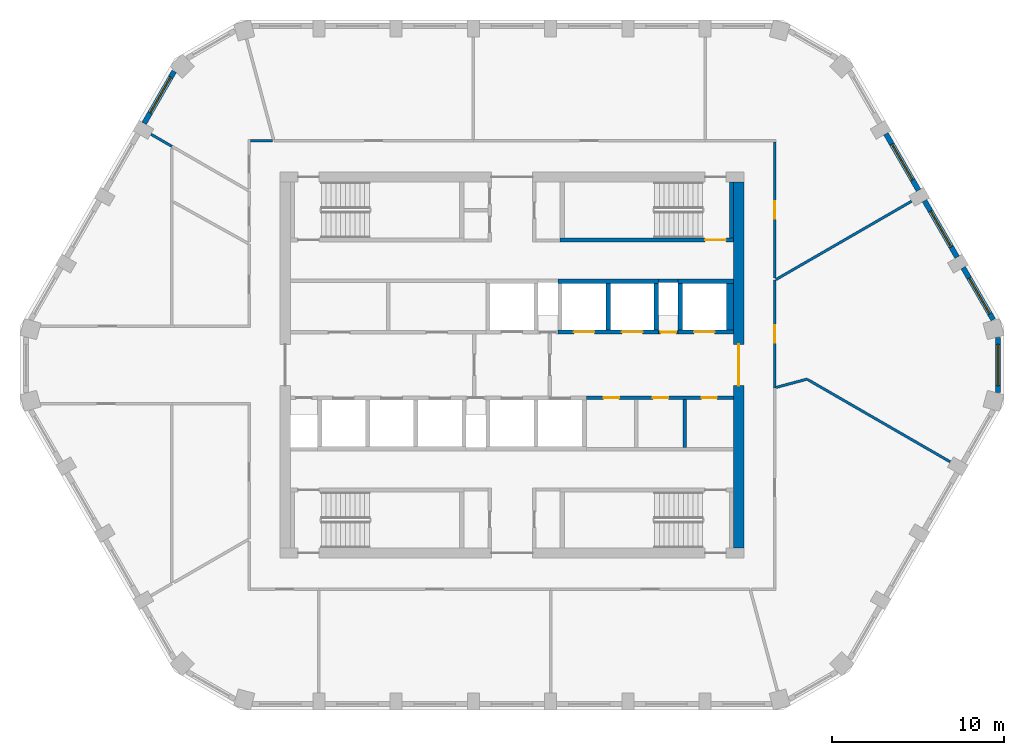
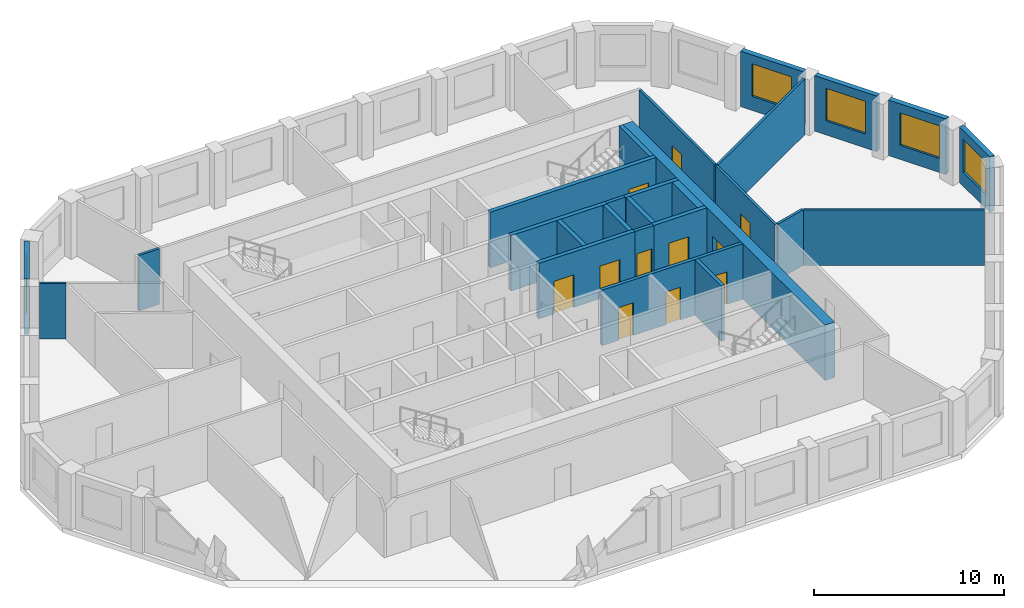
# One storey, part 5 of 7: 27 walls, 11 doors, 5 windows, 16 openings.
"""IFC4 building model written with IfcOpenShell, lengths in metres."""

import ifcopenshell
import ifcopenshell.guid

model = None  # the IFC model being written
_history = None  # IfcOwnerHistory: only IFC2X3 demands one
_inside = {}  # id of a spatial element -> (the spatial element, [elements in it])
_under = {}  # id of a project, library or spatial element -> (it, [spatial elements below it])
_declared = {}  # id of a project -> (the project, [libraries it declares])
_typed = {}  # id of a type object -> (the type object, [elements of that type])
_made_of = {}  # id of a material, layer set ... -> (it, [elements and type objects made of it])


def new_model(schema):
    """Start an empty IFC model of exactly this schema.

    Asked for "IFC4X3", IfcOpenShell would pick the latest addendum, in which some entities
    have other attributes; the version numbers below select the first issue.
    IFC2X3 requires an IfcOwnerHistory on every rooted entity: one is made here for all.
    """
    global model, _history
    if schema == "IFC4X3":
        model = ifcopenshell.file(schema_version=(4, 3, 0, 0))
    else:
        model = ifcopenshell.file(schema=schema)
    _inside.clear()
    _under.clear()
    _declared.clear()
    _typed.clear()
    _made_of.clear()
    _history = None
    if model.schema == "IFC2X3":
        org = make("IfcOrganization", Name="unknown")
        user = make(
            "IfcPersonAndOrganization",
            ThePerson=make("IfcPerson", FamilyName="unknown"),
            TheOrganization=org,
        )
        app = make(
            "IfcApplication",
            ApplicationDeveloper=org,
            Version="unknown",
            ApplicationFullName="unknown",
            ApplicationIdentifier="unknown",
        )
        _history = make(
            "IfcOwnerHistory",
            OwningUser=user,
            OwningApplication=app,
            ChangeAction="ADDED",
            CreationDate=0,
        )
    return model


def make(cls, **values):
    """One entity of the class cls with the attributes given. An attribute that is None is left unset."""
    return model.create_entity(
        cls, **{name: value for name, value in values.items() if value is not None}
    )


def rooted(cls, **values):
    """An entity with a GlobalId (a new one), such as an element, a storey or a relation."""
    return make(cls, GlobalId=ifcopenshell.guid.new(), OwnerHistory=_history, **values)


def si_unit(unit_type, name, prefix=None):
    """IfcSIUnit, for example si_unit("LENGTHUNIT", "METRE", prefix="MILLI")."""
    return make("IfcSIUnit", UnitType=unit_type, Prefix=prefix, Name=name)


def assignment(units):
    """IfcUnitAssignment: the units of a project."""
    return None if units is None else make("IfcUnitAssignment", Units=units)


def point(xyz):
    """IfcCartesianPoint."""
    return None if xyz is None else make("IfcCartesianPoint", Coordinates=xyz)


def direction(xyz):
    """IfcDirection."""
    return None if xyz is None else make("IfcDirection", DirectionRatios=xyz)


def frame(location, z_axis=None, x_axis=None):
    """IfcAxis2Placement3D, a coordinate frame: its origin and axes. An axis left out is left unset."""
    return make(
        "IfcAxis2Placement3D",
        Location=point(location),
        Axis=direction(z_axis),
        RefDirection=direction(x_axis),
    )


def frame_2d(location, x_axis=None):
    """IfcAxis2Placement2D, a coordinate frame in the plane: its origin and x axis."""
    return make(
        "IfcAxis2Placement2D", Location=point(location), RefDirection=direction(x_axis)
    )


def origin():
    """The frame at (0, 0, 0) with its axes left unset."""
    return frame((0.0, 0.0, 0.0))


def place(relative_to, where):
    """IfcLocalPlacement: puts the frame where relative to a parent placement (None: the world)."""
    return make(
        "IfcLocalPlacement", PlacementRelTo=relative_to, RelativePlacement=where
    )


def context(
    kind, dimensions, precision=None, world=None, true_north=None, identifier=None
):
    """IfcGeometricRepresentationContext, for example the 3D "Model" context."""
    return make(
        "IfcGeometricRepresentationContext",
        ContextIdentifier=identifier,
        ContextType=kind,
        CoordinateSpaceDimension=dimensions,
        Precision=precision,
        WorldCoordinateSystem=world,
        TrueNorth=true_north,
    )


def subcontext(parent, identifier, kind, view, scale=None):
    """IfcGeometricRepresentationSubContext, for example "Body" below "Model"."""
    return make(
        "IfcGeometricRepresentationSubContext",
        ContextIdentifier=identifier,
        ContextType=kind,
        ParentContext=parent,
        TargetScale=scale,
        TargetView=view,
    )


def project(units=None, contexts=None):
    """IfcProject with its units and contexts."""
    return rooted(
        "IfcProject",
        Name="project",
        RepresentationContexts=contexts,
        UnitsInContext=assignment(units),
    )


def spatial(cls, under=None, at=None, **own):
    """A site, building, storey or space (cls), placed at a placement, below another one or the project."""
    s = rooted(cls, ObjectPlacement=at, **own)
    if under is not None:
        _under.setdefault(under.id(), (under, []))[1].append(s)
    return s


def polyline(points):
    """IfcPolyline through the points."""
    return make("IfcPolyline", Points=[point(p) for p in points])


def profile(cls, at=None, kind="AREA", **sizes):
    """A parametric profile (cls). Its sizes go by their IFC names, for example OverallWidth=200.0."""
    return make(cls, ProfileType=kind, Position=at, **sizes)


def rectangle(**sizes):
    """IfcRectangleProfileDef."""
    return profile("IfcRectangleProfileDef", **sizes)


def outline(outer, holes=None, kind="AREA"):
    """IfcArbitraryClosedProfileDef: a profile drawn as a closed curve; with holes, ...WithVoids."""
    if holes is None:
        return make("IfcArbitraryClosedProfileDef", ProfileType=kind, OuterCurve=outer)
    return make(
        "IfcArbitraryProfileDefWithVoids",
        ProfileType=kind,
        OuterCurve=outer,
        InnerCurves=holes,
    )


def extrude(swept, where, along, depth):
    """IfcExtrudedAreaSolid: the profile swept, set in the frame where, extruded along a direction by depth."""
    return make(
        "IfcExtrudedAreaSolid",
        SweptArea=swept,
        Position=where,
        ExtrudedDirection=direction(along),
        Depth=depth,
    )


def shape(context_of_items, identifier, shape_type, items):
    """IfcShapeRepresentation: the items that make up one representation, for example the "Body"."""
    return make(
        "IfcShapeRepresentation",
        ContextOfItems=context_of_items,
        RepresentationIdentifier=identifier,
        RepresentationType=shape_type,
        Items=items,
    )


def material(Name=None, Category=None):
    """IfcMaterial."""
    return make("IfcMaterial", Name=Name, Category=Category)


def layer(
    of_material, thickness, ventilated=None, Name=None, Category=None, Priority=None
):
    """IfcMaterialLayer: one layer of a wall or slab, of a material (None: an air gap)."""
    return make(
        "IfcMaterialLayer",
        Material=of_material,
        LayerThickness=thickness,
        IsVentilated=ventilated,
        Name=Name,
        Category=Category,
        Priority=Priority,
    )


def layer_set(layers, Name=None):
    """IfcMaterialLayerSet."""
    return make("IfcMaterialLayerSet", MaterialLayers=layers, LayerSetName=Name)


def made_of(thing, what):
    """Note that an element or type object is made of a material, layer set ...; save() writes the relation."""
    if what is not None:
        _made_of.setdefault(what.id(), (what, []))[1].append(thing)
    return thing


def type_object(cls, material=None, **own):
    """A type object (cls), such as IfcWallType, which elements share."""
    return made_of(rooted(cls, **own), material)


def element(
    cls,
    number,
    at=None,
    inside=None,
    cuts=None,
    type_object=None,
    material=None,
    context=None,
    identifier="Body",
    shape_type=None,
    held_by="IfcProductDefinitionShape",
    body=None,
    shapes=None,
    **own,
):
    """One element of the class cls, such as IfcWall. Its Tag is "e" and its number.

    at: its placement. inside: the storey or other place that contains it. cuts: it is an
    opening in that element (IfcRelVoidsElement). A single representation is given by context,
    identifier, shape_type and body (its items); several are given by shapes. held_by: the class
    of the entity that holds the representations. save() writes the other relations.
    """
    e = rooted(cls, Tag="e%d" % number, ObjectPlacement=at, **own)
    if body is not None:
        shapes = [shape(context, identifier, shape_type, body)]
    if shapes is not None:
        e.Representation = make(held_by, Representations=shapes)
    if inside is not None:
        _inside.setdefault(inside.id(), (inside, []))[1].append(e)
    if cuts is not None:
        rooted(
            "IfcRelVoidsElement", RelatingBuildingElement=cuts, RelatedOpeningElement=e
        )
    if type_object is not None:
        _typed.setdefault(type_object.id(), (type_object, []))[1].append(e)
    return made_of(e, material)


def fill(opening, filler):
    """IfcRelFillsElement: the door or window that sits in an opening."""
    return rooted(
        "IfcRelFillsElement",
        RelatingOpeningElement=opening,
        RelatedBuildingElement=filler,
    )


def aggregate(whole, parts):
    """IfcRelAggregates: a whole, such as a stair, and the parts it consists of."""
    return rooted("IfcRelAggregates", RelatingObject=whole, RelatedObjects=parts)


def save(model, path):
    """Write the relations noted so far, then the file.

    IfcRelAggregates (storeys below a building ...), IfcRelContainedInSpatialStructure (elements
    in a storey), IfcRelDefinesByType, IfcRelAssociatesMaterial and IfcRelDeclares: one each for
    every whole, place, type object, material and project.
    """
    for whole, parts in _under.values():
        aggregate(whole, parts)
    for where, things in _inside.values():
        rooted(
            "IfcRelContainedInSpatialStructure",
            RelatedElements=things,
            RelatingStructure=where,
        )
    for kind, things in _typed.values():
        rooted("IfcRelDefinesByType", RelatedObjects=things, RelatingType=kind)
    for what, things in _made_of.values():
        rooted("IfcRelAssociatesMaterial", RelatedObjects=things, RelatingMaterial=what)
    for by, libraries in _declared.values():
        rooted("IfcRelDeclares", RelatingContext=by, RelatedDefinitions=libraries)
    model.write(path)


model = new_model("IFC4")

# Units and contexts
model_context = context("Model", 3, precision=1e-05, world=origin(), true_north=direction((0.0, 1.0)))
body_context = subcontext(model_context, "Body", "Model", "MODEL_VIEW")
ifc_project = project(units=[si_unit("LENGTHUNIT", "METRE"), si_unit("AREAUNIT", "SQUARE_METRE"), si_unit("VOLUMEUNIT", "CUBIC_METRE"), si_unit("PLANEANGLEUNIT", "RADIAN"), si_unit("MASSUNIT", "GRAM", prefix="KILO")], contexts=[model_context])

# Site, building, storey
site_placement = place(None, origin())
site = spatial("IfcSite", under=ifc_project, at=site_placement, CompositionType="ELEMENT")
building_placement = place(site_placement, origin())
building = spatial("IfcBuilding", under=site, at=building_placement, Name="Dhurran Vertical Campus", CompositionType="ELEMENT")
storey_placement = place(building_placement, frame((0.0, 0.0, 262.5)))
storey = spatial("IfcBuildingStorey", under=building, at=storey_placement, Name="L65", CompositionType="ELEMENT", Elevation=262.5)

# Wall, opening, window
ifc_material_1 = material(Name="Precast concrete C50/60", Category="concrete")
ifc_layer_1 = layer(ifc_material_1, 0.300048828125)
ifc_layer_set_1 = layer_set([ifc_layer_1], Name="Precast concrete C50/60")
wall_type_1 = type_object("IfcWallType", Name="Precast spandrel wall 300", PredefinedType="SOLIDWALL", material=ifc_layer_set_1)
wall_1_placement = place(storey_placement, frame((28.297119140625, -1.59814453125, 0.0), z_axis=(0.0, 0.0, 1.0), x_axis=(0.0, 1.0, 0.0)))
wall_1 = element("IfcWall", 1, at=wall_1_placement, inside=storey, type_object=wall_type_1, Name="EW1 L65.12", PredefinedType="SOLIDWALL", context=body_context, shape_type="SweptSolid", body=[
    extrude(rectangle(XDim=3.1962890625, YDim=0.300048828125, at=frame_2d((1.59814453125, 0.0))), origin(), (0.0, 0.0, 1.0), 3.574951171875),
])
opening_1_placement = place(wall_1_placement, frame((0.398193359375, 0.0, 0.89990234375)))
opening_1 = element("IfcOpeningElement", 2, at=opening_1_placement, cuts=wall_1, Name="Opening WT1", PredefinedType="OPENING", context=body_context, shape_type="SweptSolid", body=[
    extrude(rectangle(XDim=2.39990234375, YDim=2.10009765625, at=frame_2d((1.199951171875, 1.050048828125))), frame((0.0, 0.159912109375, 0.0), z_axis=(0.0, -1.0, 0.0), x_axis=(1.0, 0.0, 0.0)), (0.0, 0.0, 1.0), 0.320068359375),
])
ifc_material_2 = material(Name="Aluminium frame with solar-control glass", Category="aluminium")
window_type = type_object("IfcWindowType", Name="Punched window 2400 x 2100", PartitioningType="SINGLE_PANEL", PredefinedType="WINDOW", material=ifc_material_2)
window_1_placement = place(opening_1_placement, origin())
window_1 = element("IfcWindow", 3, at=window_1_placement, inside=storey, type_object=window_type, Name="WT1 L65.12", OverallHeight=2.10009765625, OverallWidth=2.39990234375, PartitioningType="SINGLE_PANEL", PredefinedType="WINDOW", context=body_context, shape_type="SweptSolid", body=[
    extrude(rectangle(XDim=2.39990234375, YDim=2.10009765625, at=frame_2d((1.199951171875, 1.050048828125))), frame((0.0, 0.030029296875, 0.0), z_axis=(0.0, -1.0, 0.0), x_axis=(1.0, 0.0, 0.0)), (0.0, 0.0, 1.0), 0.06005859375),
])
fill(opening_1, window_1)

wall_2_placement = place(storey_placement, frame((28.01806640625, 2.6396484375, 0.0), z_axis=(0.0, 0.0, 1.0), x_axis=(-0.499990325971, 0.866030989016, 0.0)))
wall_2 = element("IfcWall", 4, at=wall_2_placement, inside=storey, type_object=wall_type_1, Name="EW1 L65.13", PredefinedType="SOLIDWALL", context=body_context, shape_type="SweptSolid", body=[
    extrude(rectangle(XDim=3.49755859375, YDim=0.300048828125, at=frame_2d((1.748779296875, 0.0))), origin(), (0.0, 0.0, 1.0), 3.574951171875),
])
opening_2_placement = place(wall_2_placement, frame((0.398193359375, 0.0, 0.89990234375)))
opening_2 = element("IfcOpeningElement", 5, at=opening_2_placement, cuts=wall_2, Name="Opening WT1", PredefinedType="OPENING", context=body_context, shape_type="SweptSolid", body=[
    extrude(rectangle(XDim=2.39990234375, YDim=2.10009765625, at=frame_2d((1.199951171875, 1.050048828125))), frame((0.0, 0.159912109375, 0.0), z_axis=(0.0, -1.0, 0.0), x_axis=(1.0, 0.0, 0.0)), (0.0, 0.0, 1.0), 0.320068359375),
])
window_2_placement = place(opening_2_placement, origin())
window_2 = element("IfcWindow", 6, at=window_2_placement, inside=storey, type_object=window_type, Name="WT1 L65.13", OverallHeight=2.10009765625, OverallWidth=2.39990234375, PartitioningType="SINGLE_PANEL", PredefinedType="WINDOW", context=body_context, shape_type="SweptSolid", body=[
    extrude(rectangle(XDim=2.39990234375, YDim=2.10009765625, at=frame_2d((1.199951171875, 1.050048828125))), frame((0.0, 0.030029296875, 0.0), z_axis=(0.0, -1.0, 0.0), x_axis=(1.0, 0.0, 0.0)), (0.0, 0.0, 1.0), 0.06005859375),
])
fill(opening_2, window_2)

wall_3_placement = place(storey_placement, frame((25.918701171875, 6.275634765625, 0.0), z_axis=(0.0, 0.0, 1.0), x_axis=(-0.499982058975, 0.866035761792, 0.0)))
wall_3 = element("IfcWall", 7, at=wall_3_placement, inside=storey, type_object=wall_type_1, Name="EW1 L65.14", PredefinedType="SOLIDWALL", context=body_context, shape_type="SweptSolid", body=[
    extrude(rectangle(XDim=3.799072265625, YDim=0.300048828125, at=frame_2d((1.8994140625, 0.0))), origin(), (0.0, 0.0, 1.0), 3.574951171875),
])
opening_3_placement = place(wall_3_placement, frame((0.699462890625, 0.0, 0.89990234375)))
opening_3 = element("IfcOpeningElement", 8, at=opening_3_placement, cuts=wall_3, Name="Opening WT1", PredefinedType="OPENING", context=body_context, shape_type="SweptSolid", body=[
    extrude(rectangle(XDim=2.39990234375, YDim=2.10009765625, at=frame_2d((1.199951171875, 1.050048828125))), frame((0.0, 0.159912109375, 0.0), z_axis=(0.0, -1.0, 0.0), x_axis=(1.0, 0.0, 0.0)), (0.0, 0.0, 1.0), 0.320068359375),
])
window_3_placement = place(opening_3_placement, origin())
window_3 = element("IfcWindow", 9, at=window_3_placement, inside=storey, type_object=window_type, Name="WT1 L65.14", OverallHeight=2.10009765625, OverallWidth=2.39990234375, PartitioningType="SINGLE_PANEL", PredefinedType="WINDOW", context=body_context, shape_type="SweptSolid", body=[
    extrude(rectangle(XDim=2.39990234375, YDim=2.10009765625, at=frame_2d((1.199951171875, 1.050048828125))), frame((0.0, 0.030029296875, 0.0), z_axis=(0.0, -1.0, 0.0), x_axis=(1.0, 0.0, 0.0)), (0.0, 0.0, 1.0), 0.06005859375),
])
fill(opening_3, window_3)

wall_4_placement = place(storey_placement, frame((23.668701171875, 10.1728515625, 0.0), z_axis=(0.0, 0.0, 1.0), x_axis=(-0.499982058975, 0.866035761792, 0.0)))
wall_4 = element("IfcWall", 10, at=wall_4_placement, inside=storey, type_object=wall_type_1, Name="EW1 L65.15", PredefinedType="SOLIDWALL", context=body_context, shape_type="SweptSolid", body=[
    extrude(rectangle(XDim=3.799072265625, YDim=0.300048828125, at=frame_2d((1.8994140625, 0.0))), origin(), (0.0, 0.0, 1.0), 3.574951171875),
])
opening_4_placement = place(wall_4_placement, frame((0.699462890625, 0.0, 0.89990234375)))
opening_4 = element("IfcOpeningElement", 11, at=opening_4_placement, cuts=wall_4, Name="Opening WT1", PredefinedType="OPENING", context=body_context, shape_type="SweptSolid", body=[
    extrude(rectangle(XDim=2.39990234375, YDim=2.10009765625, at=frame_2d((1.199951171875, 1.050048828125))), frame((0.0, 0.159912109375, 0.0), z_axis=(0.0, -1.0, 0.0), x_axis=(1.0, 0.0, 0.0)), (0.0, 0.0, 1.0), 0.320068359375),
])
window_4_placement = place(opening_4_placement, origin())
window_4 = element("IfcWindow", 12, at=window_4_placement, inside=storey, type_object=window_type, Name="WT1 L65.15", OverallHeight=2.10009765625, OverallWidth=2.39990234375, PartitioningType="SINGLE_PANEL", PredefinedType="WINDOW", context=body_context, shape_type="SweptSolid", body=[
    extrude(rectangle(XDim=2.39990234375, YDim=2.10009765625, at=frame_2d((1.199951171875, 1.050048828125))), frame((0.0, 0.030029296875, 0.0), z_axis=(0.0, -1.0, 0.0), x_axis=(1.0, 0.0, 0.0)), (0.0, 0.0, 1.0), 0.06005859375),
])
fill(opening_4, window_4)

wall_5_placement = place(storey_placement, frame((-19.669921875, 17.09912109375, 0.0), z_axis=(0.0, 0.0, 1.0), x_axis=(-0.499960102815, -0.866048437209, 0.0)))
wall_5 = element("IfcWall", 13, at=wall_5_placement, inside=storey, type_object=wall_type_1, Name="EW1 L65.26", PredefinedType="SOLIDWALL", context=body_context, shape_type="SweptSolid", body=[
    extrude(rectangle(XDim=3.497802734375, YDim=0.300048828125, at=frame_2d((1.7490234375, 0.0))), origin(), (0.0, 0.0, 1.0), 3.574951171875),
])
opening_5_placement = place(wall_5_placement, frame((0.398193359375, 0.0, 0.89990234375)))
opening_5 = element("IfcOpeningElement", 14, at=opening_5_placement, cuts=wall_5, Name="Opening WT1", PredefinedType="OPENING", context=body_context, shape_type="SweptSolid", body=[
    extrude(rectangle(XDim=2.39990234375, YDim=2.10009765625, at=frame_2d((1.199951171875, 1.050048828125))), frame((0.0, 0.159912109375, 0.0), z_axis=(0.0, -1.0, 0.0), x_axis=(1.0, 0.0, 0.0)), (0.0, 0.0, 1.0), 0.320068359375),
])
window_5_placement = place(opening_5_placement, origin())
window_5 = element("IfcWindow", 15, at=window_5_placement, inside=storey, type_object=window_type, Name="WT1 L65.26", OverallHeight=2.10009765625, OverallWidth=2.39990234375, PartitioningType="SINGLE_PANEL", PredefinedType="WINDOW", context=body_context, shape_type="SweptSolid", body=[
    extrude(rectangle(XDim=2.39990234375, YDim=2.10009765625, at=frame_2d((1.199951171875, 1.050048828125))), frame((0.0, 0.030029296875, 0.0), z_axis=(0.0, -1.0, 0.0), x_axis=(1.0, 0.0, 0.0)), (0.0, 0.0, 1.0), 0.06005859375),
])
fill(opening_5, window_5)

# Wall, opening, door
ifc_material_3 = material(Name="Concrete C50/60", Category="concrete")
ifc_layer_2 = layer(ifc_material_3, 0.60009765625)
ifc_layer_set_2 = layer_set([ifc_layer_2], Name="Concrete C50/60")
wall_type_2 = type_object("IfcWallType", Name="co-CORE-WALL-C2-600", PredefinedType="SHEAR", material=ifc_layer_set_2)
wall_6_placement = place(storey_placement, frame((13.199951171875, -10.64990234375, 0.0), z_axis=(0.0, 0.0, 1.0), x_axis=(0.0, 1.0, 0.0)))
wall_6 = element("IfcWall", 16, at=wall_6_placement, inside=storey, type_object=wall_type_2, Name="Core wall E L65", PredefinedType="SHEAR", context=body_context, shape_type="SweptSolid", body=[
    extrude(rectangle(XDim=21.2998046875, YDim=0.60009765625, at=frame_2d((10.64990234375, 0.0))), origin(), (0.0, 0.0, 1.0), 3.574951171875),
])
opening_6_placement = place(wall_6_placement, frame((9.449951171875, 0.0, 0.0)))
opening_6 = element("IfcOpeningElement", 17, at=opening_6_placement, cuts=wall_6, Name="Opening CL2", PredefinedType="OPENING", context=body_context, shape_type="SweptSolid", body=[
    extrude(rectangle(XDim=2.39990234375, YDim=2.10009765625, at=frame_2d((1.199951171875, 1.050048828125))), frame((0.0, 0.31005859375, 0.0), z_axis=(0.0, -1.0, 0.0), x_axis=(1.0, 0.0, 0.0)), (0.0, 0.0, 1.0), 0.6201171875),
])
ifc_material_4 = material(Name="Fire-rated glazed door set")
door_type_1 = type_object("IfcDoorType", Name="co-D-LOBBY 2400x2100", OperationType="DOUBLE_DOOR_DOUBLE_SWING", PredefinedType="DOOR", material=ifc_material_4)
door_1_placement = place(opening_6_placement, origin())
door_1 = element("IfcDoor", 18, at=door_1_placement, inside=storey, type_object=door_type_1, Name="Lift lobby door E L65", OperationType="DOUBLE_DOOR_DOUBLE_SWING", OverallHeight=2.10009765625, OverallWidth=2.39990234375, PredefinedType="DOOR", context=body_context, shape_type="SweptSolid", body=[
    extrude(rectangle(XDim=2.39990234375, YDim=2.10009765625, at=frame_2d((1.199951171875, 1.050048828125))), frame((0.0, 0.02490234375, 0.0), z_axis=(0.0, -1.0, 0.0), x_axis=(1.0, 0.0, 0.0)), (0.0, 0.0, 1.0), 0.050048828125),
])
fill(opening_6, door_1)

ifc_material_5 = material(Name="Fire-rated masonry blockwork", Category="masonry")
ifc_layer_3 = layer(ifc_material_5, 0.199951171875)
ifc_layer_set_3 = layer_set([ifc_layer_3], Name="Fire-rated masonry blockwork")
wall_type_3 = type_object("IfcWallType", Name="co-FIRE-PARTITION-200", PredefinedType="PARTITIONING", material=ifc_layer_set_3)
wall_7_placement = place(storey_placement, frame((8.52490234375, 1.89990234375, 0.0), z_axis=(0.0, 0.0, 1.0), x_axis=(1.0, 0.0, 0.0)))
wall_7 = element("IfcWall", 19, at=wall_7_placement, inside=storey, type_object=wall_type_3, Name="Core partition fr-N2-f L65", PredefinedType="PARTITIONING", context=body_context, shape_type="SweptSolid", body=[
    extrude(rectangle(XDim=1.150146484375, YDim=0.199951171875, at=frame_2d((0.5751953125, 0.0))), origin(), (0.0, 0.0, 1.0), 3.574951171875),
])
opening_7_placement = place(wall_7_placement, frame((0.125, 0.0, 0.0)))
opening_7 = element("IfcOpeningElement", 20, at=opening_7_placement, cuts=wall_7, Name="Opening T19-C9", PredefinedType="OPENING", context=body_context, shape_type="SweptSolid", body=[
    extrude(rectangle(XDim=0.89990234375, YDim=2.10009765625, at=frame_2d((0.449951171875, 1.050048828125))), frame((0.0, 0.10986328125, 0.0), z_axis=(0.0, -1.0, 0.0), x_axis=(1.0, 0.0, 0.0)), (0.0, 0.0, 1.0), 0.219970703125),
])
ifc_material_6 = material(Name="Fire-rated timber door set", Category="wood")
door_type_2 = type_object("IfcDoorType", Name="co-D-ROOM 900x2100", OperationType="SINGLE_SWING_LEFT", PredefinedType="DOOR", material=ifc_material_6)
door_2_placement = place(opening_7_placement, origin())
door_2 = element("IfcDoor", 21, at=door_2_placement, inside=storey, type_object=door_type_2, Name="Communications riser door L65", OperationType="SINGLE_SWING_LEFT", OverallHeight=2.10009765625, OverallWidth=0.89990234375, PredefinedType="DOOR", context=body_context, shape_type="SweptSolid", body=[
    extrude(rectangle(XDim=0.89990234375, YDim=2.10009765625, at=frame_2d((0.449951171875, 1.050048828125))), frame((0.0, 0.02490234375, 0.0), z_axis=(0.0, -1.0, 0.0), x_axis=(1.0, 0.0, 0.0)), (0.0, 0.0, 1.0), 0.050048828125),
])
fill(opening_7, door_2)

# Walls
wall_8_placement = place(storey_placement, frame((8.52490234375, 4.89990234375, 0.0), z_axis=(0.0, 0.0, 1.0), x_axis=(1.0, 0.0, 0.0)))
element("IfcWall", 22, at=wall_8_placement, inside=storey, type_object=wall_type_3, Name="Core partition fr-N2-b L65", PredefinedType="PARTITIONING", context=body_context, shape_type="SweptSolid", body=[
    extrude(rectangle(XDim=1.150146484375, YDim=0.199951171875, at=frame_2d((0.5751953125, 0.0))), origin(), (0.0, 0.0, 1.0), 3.574951171875),
])
wall_9_placement = place(storey_placement, frame((10.0703125, -4.800048828125, 0.0), z_axis=(0.0, 0.0, 1.0), x_axis=(0.0, 1.0, 0.0)))
element("IfcWall", 23, at=wall_9_placement, inside=storey, type_object=wall_type_3, Name="Core partition fr-S2-cut1 L65", PredefinedType="PARTITIONING", context=body_context, shape_type="SweptSolid", body=[
    extrude(rectangle(XDim=2.800048828125, YDim=0.199951171875, at=frame_2d((1.39990234375, 0.0))), origin(), (0.0, 0.0, 1.0), 3.574951171875),
])

# Wall, openings, doors
wall_10_placement = place(storey_placement, frame((4.324951171875, -1.89990234375, 0.0), z_axis=(0.0, 0.0, 1.0), x_axis=(1.0, 0.0, 0.0)))
wall_10 = element("IfcWall", 24, at=wall_10_placement, inside=storey, type_object=wall_type_3, Name="Core partition fr-S2-f L65", PredefinedType="PARTITIONING", context=body_context, shape_type="SweptSolid", body=[
    extrude(rectangle(XDim=8.574951171875, YDim=0.199951171875, at=frame_2d((4.28759765625, 0.0))), origin(), (0.0, 0.0, 1.0), 3.574951171875),
])
opening_8_placement = place(wall_10_placement, frame((1.0078125, 0.0, 0.0)))
opening_8 = element("IfcOpeningElement", 25, at=opening_8_placement, cuts=wall_10, Name="Opening T19-C12", PredefinedType="OPENING", context=body_context, shape_type="SweptSolid", body=[
    extrude(rectangle(XDim=0.89990234375, YDim=2.10009765625, at=frame_2d((0.449951171875, 1.050048828125))), frame((0.0, 0.10986328125, 0.0), z_axis=(0.0, -1.0, 0.0), x_axis=(1.0, 0.0, 0.0)), (0.0, 0.0, 1.0), 0.219970703125),
])
opening_9_placement = place(wall_10_placement, frame((3.88037109375, 0.0, 0.0)))
opening_9 = element("IfcOpeningElement", 26, at=opening_9_placement, cuts=wall_10, Name="Opening T19-C13", PredefinedType="OPENING", context=body_context, shape_type="SweptSolid", body=[
    extrude(rectangle(XDim=0.89990234375, YDim=2.10009765625, at=frame_2d((0.449951171875, 1.050048828125))), frame((0.0, 0.10986328125, 0.0), z_axis=(0.0, -1.0, 0.0), x_axis=(1.0, 0.0, 0.0)), (0.0, 0.0, 1.0), 0.219970703125),
])
opening_10_placement = place(wall_10_placement, frame((6.710205078125, 0.0, 0.0)))
opening_10 = element("IfcOpeningElement", 27, at=opening_10_placement, cuts=wall_10, Name="Opening T19-C14", PredefinedType="OPENING", context=body_context, shape_type="SweptSolid", body=[
    extrude(rectangle(XDim=0.89990234375, YDim=2.10009765625, at=frame_2d((0.449951171875, 1.050048828125))), frame((0.0, 0.10986328125, 0.0), z_axis=(0.0, -1.0, 0.0), x_axis=(1.0, 0.0, 0.0)), (0.0, 0.0, 1.0), 0.219970703125),
])
door_3_placement = place(opening_8_placement, origin())
door_3 = element("IfcDoor", 28, at=door_3_placement, inside=storey, type_object=door_type_2, Name="Print room door L65", OperationType="SINGLE_SWING_LEFT", OverallHeight=2.10009765625, OverallWidth=0.89990234375, PredefinedType="DOOR", context=body_context, shape_type="SweptSolid", body=[
    extrude(rectangle(XDim=0.89990234375, YDim=2.10009765625, at=frame_2d((0.449951171875, 1.050048828125))), frame((0.0, 0.02490234375, 0.0), z_axis=(0.0, -1.0, 0.0), x_axis=(1.0, 0.0, 0.0)), (0.0, 0.0, 1.0), 0.050048828125),
])
fill(opening_8, door_3)
door_4_placement = place(opening_9_placement, origin())
door_4 = element("IfcDoor", 29, at=door_4_placement, inside=storey, type_object=door_type_2, Name="Plant room door L65", OperationType="SINGLE_SWING_LEFT", OverallHeight=2.10009765625, OverallWidth=0.89990234375, PredefinedType="DOOR", context=body_context, shape_type="SweptSolid", body=[
    extrude(rectangle(XDim=0.89990234375, YDim=2.10009765625, at=frame_2d((0.449951171875, 1.050048828125))), frame((0.0, 0.02490234375, 0.0), z_axis=(0.0, -1.0, 0.0), x_axis=(1.0, 0.0, 0.0)), (0.0, 0.0, 1.0), 0.050048828125),
])
fill(opening_9, door_4)
door_5_placement = place(opening_10_placement, origin())
door_5 = element("IfcDoor", 30, at=door_5_placement, inside=storey, type_object=door_type_2, Name="Cleaner's store door L65", OperationType="SINGLE_SWING_LEFT", OverallHeight=2.10009765625, OverallWidth=0.89990234375, PredefinedType="DOOR", context=body_context, shape_type="SweptSolid", body=[
    extrude(rectangle(XDim=0.89990234375, YDim=2.10009765625, at=frame_2d((0.449951171875, 1.050048828125))), frame((0.0, 0.02490234375, 0.0), z_axis=(0.0, -1.0, 0.0), x_axis=(1.0, 0.0, 0.0)), (0.0, 0.0, 1.0), 0.050048828125),
])
fill(opening_10, door_5)

ifc_material_7 = material(Name="Concrete C50/60", Category="concrete")
ifc_layer_4 = layer(ifc_material_7, 0.25)
ifc_layer_set_4 = layer_set([ifc_layer_4], Name="Concrete C50/60")
wall_type_4 = type_object("IfcWallType", Name="co-SHAFT-FRONT-250", PredefinedType="SHEAR", material=ifc_layer_set_4)
wall_11_placement = place(storey_placement, frame((2.675048828125, 1.925048828125, 0.0), z_axis=(0.0, 0.0, 1.0), x_axis=(1.0, 0.0, 0.0)))
wall_11 = element("IfcWall", 31, at=wall_11_placement, inside=storey, type_object=wall_type_4, Name="Lift landing wall N L65", PredefinedType="SHEAR", context=body_context, shape_type="SweptSolid", body=[
    extrude(rectangle(XDim=5.849853515625, YDim=0.25, at=frame_2d((2.9248046875, 0.0))), origin(), (0.0, 0.0, 1.0), 3.574951171875),
])
opening_11_placement = place(wall_11_placement, frame((0.925048828125, 0.0, 0.0)))
opening_11 = element("IfcOpeningElement", 32, at=opening_11_placement, cuts=wall_11, Name="Opening LD", PredefinedType="OPENING", context=body_context, shape_type="SweptSolid", body=[
    extrude(rectangle(XDim=1.199951171875, YDim=2.10009765625, at=frame_2d((0.60009765625, 1.050048828125))), frame((0.0, 0.135009765625, 0.0), z_axis=(0.0, -1.0, 0.0), x_axis=(1.0, 0.0, 0.0)), (0.0, 0.0, 1.0), 0.27001953125),
])
opening_12_placement = place(wall_11_placement, frame((3.72509765625, 0.0, 0.0)))
opening_12 = element("IfcOpeningElement", 33, at=opening_12_placement, cuts=wall_11, Name="Opening LD", PredefinedType="OPENING", context=body_context, shape_type="SweptSolid", body=[
    extrude(rectangle(XDim=1.199951171875, YDim=2.10009765625, at=frame_2d((0.60009765625, 1.050048828125))), frame((0.0, 0.135009765625, 0.0), z_axis=(0.0, -1.0, 0.0), x_axis=(1.0, 0.0, 0.0)), (0.0, 0.0, 1.0), 0.27001953125),
])
ifc_material_8 = material(Name="Stainless steel landing door", Category="steel")
door_type_3 = type_object("IfcDoorType", Name="co-D-LANDING 1200x2100", OperationType="DOUBLE_DOOR_SLIDING", PredefinedType="DOOR", material=ifc_material_8)
door_6_placement = place(opening_11_placement, origin())
door_6 = element("IfcDoor", 34, at=door_6_placement, inside=storey, type_object=door_type_3, Name="Landing door HR1 L65", OperationType="DOUBLE_DOOR_SLIDING", OverallHeight=2.10009765625, OverallWidth=1.199951171875, PredefinedType="DOOR", context=body_context, shape_type="SweptSolid", body=[
    extrude(rectangle(XDim=1.199951171875, YDim=2.10009765625, at=frame_2d((0.60009765625, 1.050048828125))), frame((0.0, 0.02490234375, 0.0), z_axis=(0.0, -1.0, 0.0), x_axis=(1.0, 0.0, 0.0)), (0.0, 0.0, 1.0), 0.050048828125),
])
fill(opening_11, door_6)
door_7_placement = place(opening_12_placement, origin())
door_7 = element("IfcDoor", 35, at=door_7_placement, inside=storey, type_object=door_type_3, Name="Landing door HR2 L65", OperationType="DOUBLE_DOOR_SLIDING", OverallHeight=2.10009765625, OverallWidth=1.199951171875, PredefinedType="DOOR", context=body_context, shape_type="SweptSolid", body=[
    extrude(rectangle(XDim=1.199951171875, YDim=2.10009765625, at=frame_2d((0.60009765625, 1.050048828125))), frame((0.0, 0.02490234375, 0.0), z_axis=(0.0, -1.0, 0.0), x_axis=(1.0, 0.0, 0.0)), (0.0, 0.0, 1.0), 0.050048828125),
])
fill(opening_12, door_7)

# Wall, opening, door
wall_12_placement = place(storey_placement, frame((9.675048828125, 1.925048828125, 0.0), z_axis=(0.0, 0.0, 1.0), x_axis=(1.0, 0.0, 0.0)))
wall_12 = element("IfcWall", 36, at=wall_12_placement, inside=storey, type_object=wall_type_4, Name="Lift landing wall N L65", PredefinedType="SHEAR", context=body_context, shape_type="SweptSolid", body=[
    extrude(rectangle(XDim=3.224853515625, YDim=0.25, at=frame_2d((1.6123046875, 0.0))), origin(), (0.0, 0.0, 1.0), 3.574951171875),
])
opening_13_placement = place(wall_12_placement, frame((0.925048828125, 0.0, 0.0)))
opening_13 = element("IfcOpeningElement", 37, at=opening_13_placement, cuts=wall_12, Name="Opening LD", PredefinedType="OPENING", context=body_context, shape_type="SweptSolid", body=[
    extrude(rectangle(XDim=1.199951171875, YDim=2.10009765625, at=frame_2d((0.60009765625, 1.050048828125))), frame((0.0, 0.135009765625, 0.0), z_axis=(0.0, -1.0, 0.0), x_axis=(1.0, 0.0, 0.0)), (0.0, 0.0, 1.0), 0.27001953125),
])
door_8_placement = place(opening_13_placement, origin())
door_8 = element("IfcDoor", 38, at=door_8_placement, inside=storey, type_object=door_type_3, Name="Landing door SV2 L65", OperationType="DOUBLE_DOOR_SLIDING", OverallHeight=2.10009765625, OverallWidth=1.199951171875, PredefinedType="DOOR", context=body_context, shape_type="SweptSolid", body=[
    extrude(rectangle(XDim=1.199951171875, YDim=2.10009765625, at=frame_2d((0.60009765625, 1.050048828125))), frame((0.0, 0.02490234375, 0.0), z_axis=(0.0, -1.0, 0.0), x_axis=(1.0, 0.0, 0.0)), (0.0, 0.0, 1.0), 0.050048828125),
])
fill(opening_13, door_8)

# Walls
ifc_material_9 = material(Name="Concrete C50/60", Category="concrete")
ifc_layer_5 = layer(ifc_material_9, 0.25)
ifc_layer_set_5 = layer_set([ifc_layer_5], Name="Concrete C50/60")
wall_type_5 = type_object("IfcWallType", Name="co-SHAFT-MASS-250", PredefinedType="SHEAR", material=ifc_layer_set_5)
wall_13_placement = place(storey_placement, origin())
element("IfcWall", 39, at=wall_13_placement, inside=storey, type_object=wall_type_5, Name="Lift shaft wall N L65 2", PredefinedType="SHEAR", context=body_context, shape_type="SweptSolid", body=[
    extrude(outline(polyline([(2.675048828125, 4.75), (8.52490234375, 4.75), (8.52490234375, 5.0), (2.675048828125, 5.0), (2.675048828125, 4.75)])), origin(), (0.0, 0.0, 1.0), 3.574951171875),
])
wall_14_placement = place(storey_placement, origin())
element("IfcWall", 40, at=wall_14_placement, inside=storey, type_object=wall_type_5, Name="Lift shaft wall N L65 3", PredefinedType="SHEAR", context=body_context, shape_type="SweptSolid", body=[
    extrude(outline(polyline([(9.675048828125, 4.75), (12.89990234375, 4.75), (12.89990234375, 5.0), (9.675048828125, 5.0), (9.675048828125, 4.75)])), origin(), (0.0, 0.0, 1.0), 3.574951171875),
])
wall_15_placement = place(storey_placement, origin())
element("IfcWall", 41, at=wall_15_placement, inside=storey, type_object=wall_type_5, Name="Lift shaft wall N L65 7", PredefinedType="SHEAR", context=body_context, shape_type="SweptSolid", body=[
    extrude(outline(polyline([(5.47509765625, 2.050048828125), (5.72509765625, 2.050048828125), (5.72509765625, 4.75), (5.47509765625, 4.75), (5.47509765625, 2.050048828125)])), origin(), (0.0, 0.0, 1.0), 3.574951171875),
])
wall_16_placement = place(storey_placement, origin())
element("IfcWall", 42, at=wall_16_placement, inside=storey, type_object=wall_type_5, Name="Lift shaft wall N L65 8", PredefinedType="SHEAR", context=body_context, shape_type="SweptSolid", body=[
    extrude(outline(polyline([(8.27490234375, 2.050048828125), (8.52490234375, 2.050048828125), (8.52490234375, 4.75), (8.27490234375, 4.75), (8.27490234375, 2.050048828125)])), origin(), (0.0, 0.0, 1.0), 3.574951171875),
])
wall_17_placement = place(storey_placement, origin())
element("IfcWall", 43, at=wall_17_placement, inside=storey, type_object=wall_type_5, Name="Lift shaft wall N L65 9", PredefinedType="SHEAR", context=body_context, shape_type="SweptSolid", body=[
    extrude(outline(polyline([(9.675048828125, 2.050048828125), (9.925048828125, 2.050048828125), (9.925048828125, 4.75), (9.675048828125, 4.75), (9.675048828125, 2.050048828125)])), origin(), (0.0, 0.0, 1.0), 3.574951171875),
])
wall_18_placement = place(storey_placement, origin())
element("IfcWall", 44, at=wall_18_placement, inside=storey, type_object=wall_type_5, Name="Lift shaft wall N L65 10", PredefinedType="SHEAR", context=body_context, shape_type="SweptSolid", body=[
    extrude(outline(polyline([(12.47509765625, 2.050048828125), (12.89990234375, 2.050048828125), (12.89990234375, 4.75), (12.47509765625, 4.75), (12.47509765625, 2.050048828125)])), origin(), (0.0, 0.0, 1.0), 3.574951171875),
])

# Wall, opening, door
ifc_material_10 = material(Name="Concrete C40/50", Category="concrete")
ifc_layer_6 = layer(ifc_material_10, 0.25)
ifc_layer_set_6 = layer_set([ifc_layer_6], Name="Concrete C40/50")
wall_type_6 = type_object("IfcWallType", Name="co-STAIR-WALL-250", PredefinedType="SHEAR", material=ifc_layer_set_6)
wall_19_placement = place(storey_placement, frame((2.800048828125, 7.27490234375, 0.0), z_axis=(0.0, 0.0, 1.0), x_axis=(1.0, 0.0, 0.0)))
wall_19 = element("IfcWall", 45, at=wall_19_placement, inside=storey, type_object=wall_type_6, Name="Stair ST2 enclosure wall L65", PredefinedType="SHEAR", context=body_context, shape_type="SweptSolid", body=[
    extrude(rectangle(XDim=10.099853515625, YDim=0.25, at=frame_2d((5.0498046875, 0.0))), origin(), (0.0, 0.0, 1.0), 3.574951171875),
])
opening_14_placement = place(wall_19_placement, frame((8.449951171875, 0.0, 0.0)))
opening_14 = element("IfcOpeningElement", 46, at=opening_14_placement, cuts=wall_19, Name="Opening SD2", PredefinedType="OPENING", context=body_context, shape_type="SweptSolid", body=[
    extrude(rectangle(XDim=1.199951171875, YDim=2.10009765625, at=frame_2d((0.60009765625, 1.050048828125))), frame((0.0, 0.135009765625, 0.0), z_axis=(0.0, -1.0, 0.0), x_axis=(1.0, 0.0, 0.0)), (0.0, 0.0, 1.0), 0.27001953125),
])
ifc_material_11 = material(Name="Fire-rated steel door set", Category="steel")
door_type_4 = type_object("IfcDoorType", Name="co-D-STAIR 1200x2100", OperationType="SINGLE_SWING_LEFT", PredefinedType="DOOR", material=ifc_material_11)
door_9_placement = place(opening_14_placement, origin())
door_9 = element("IfcDoor", 47, at=door_9_placement, inside=storey, type_object=door_type_4, Name="Stair ST2 door L65", OperationType="SINGLE_SWING_LEFT", OverallHeight=2.10009765625, OverallWidth=1.199951171875, PredefinedType="DOOR", context=body_context, shape_type="SweptSolid", body=[
    extrude(rectangle(XDim=1.199951171875, YDim=2.10009765625, at=frame_2d((0.60009765625, 1.050048828125))), frame((0.0, 0.02490234375, 0.0), z_axis=(0.0, -1.0, 0.0), x_axis=(1.0, 0.0, 0.0)), (0.0, 0.0, 1.0), 0.050048828125),
])
fill(opening_14, door_9)

# Walls
wall_20_placement = place(storey_placement, frame((12.77490234375, 7.39990234375, 0.0), z_axis=(0.0, 0.0, 1.0), x_axis=(0.0, 1.0, 0.0)))
element("IfcWall", 48, at=wall_20_placement, inside=storey, type_object=wall_type_6, Name="Stair ST2 enclosure wall L65", PredefinedType="SHEAR", context=body_context, shape_type="SweptSolid", body=[
    extrude(rectangle(XDim=3.25, YDim=0.25, at=frame_2d((1.625, 0.0))), origin(), (0.0, 0.0, 1.0), 3.574951171875),
])
ifc_material_12 = material(Name="Gypsum board corridor wall on steel studs", Category="steel")
ifc_layer_7 = layer(ifc_material_12, 0.14990234375)
ifc_layer_set_7 = layer_set([ifc_layer_7], Name="Gypsum board corridor wall on steel studs")
wall_type_7 = type_object("IfcWallType", Name="fl-CW-150 corridor wall", PredefinedType="PARTITIONING", material=ifc_layer_set_7)
wall_21_placement = place(storey_placement, frame((-13.958984375, 13.050048828125, 0.0), z_axis=(0.0, 0.0, 1.0), x_axis=(-1.0, 0.0, 0.0)))
element("IfcWall", 49, at=wall_21_placement, inside=storey, type_object=wall_type_7, Name="Partition 65-20", PredefinedType="PARTITIONING", context=body_context, shape_type="SweptSolid", body=[
    extrude(rectangle(XDim=1.26611328125, YDim=0.14990234375, at=frame_2d((0.633056640625, 0.0))), origin(), (0.0, 0.0, 1.0), 3.574951171875),
])

# Wall, opening, door
wall_22_placement = place(storey_placement, frame((15.300048828125, -1.325927734375, 0.0), z_axis=(0.0, 0.0, 1.0), x_axis=(0.0, 1.0, 0.0)))
wall_22 = element("IfcWall", 50, at=wall_22_placement, inside=storey, type_object=wall_type_7, Name="Partition 65-33", PredefinedType="PARTITIONING", context=body_context, shape_type="SweptSolid", body=[
    extrude(rectangle(XDim=6.261962890625, YDim=0.14990234375, at=frame_2d((3.130859375, 0.0))), origin(), (0.0, 0.0, 1.0), 3.574951171875),
])
opening_15_placement = place(wall_22_placement, frame((2.631103515625, 0.0, 0.0)))
opening_15 = element("IfcOpeningElement", 51, at=opening_15_placement, cuts=wall_22, Name="Opening T19.14", PredefinedType="OPENING", context=body_context, shape_type="SweptSolid", body=[
    extrude(rectangle(XDim=1.0, YDim=2.10009765625, at=frame_2d((0.5, 1.050048828125))), frame((0.0, 0.0849609375, 0.0), z_axis=(0.0, -1.0, 0.0), x_axis=(1.0, 0.0, 0.0)), (0.0, 0.0, 1.0), 0.169921875),
])
ifc_material_13 = material(Name="Solid-core timber door set, fire-rated", Category="wood")
door_type_5 = type_object("IfcDoorType", Name="fl-D-1000x2100", OperationType="SINGLE_SWING_LEFT", PredefinedType="DOOR", material=ifc_material_13)
door_10_placement = place(opening_15_placement, origin())
door_10 = element("IfcDoor", 52, at=door_10_placement, inside=storey, type_object=door_type_5, Name="Door 65.14", OperationType="SINGLE_SWING_RIGHT", OverallHeight=2.10009765625, OverallWidth=1.0, PredefinedType="DOOR", context=body_context, shape_type="SweptSolid", body=[
    extrude(rectangle(XDim=1.0, YDim=2.10009765625, at=frame_2d((0.5, 1.050048828125))), frame((0.0, 0.02490234375, 0.0), z_axis=(0.0, -1.0, 0.0), x_axis=(1.0, 0.0, 0.0)), (0.0, 0.0, 1.0), 0.050048828125),
])
fill(opening_15, door_10)

wall_23_placement = place(storey_placement, frame((15.300048828125, 5.06591796875, 0.0), z_axis=(0.0, 0.0, 1.0), x_axis=(0.0, 1.0, 0.0)))
wall_23 = element("IfcWall", 53, at=wall_23_placement, inside=storey, type_object=wall_type_7, Name="Partition 65-35", PredefinedType="PARTITIONING", context=body_context, shape_type="SweptSolid", body=[
    extrude(rectangle(XDim=7.9091796875, YDim=0.14990234375, at=frame_2d((3.95458984375, 0.0))), origin(), (0.0, 0.0, 1.0), 3.574951171875),
])
opening_16_placement = place(wall_23_placement, frame((3.45458984375, 0.0, 0.0)))
opening_16 = element("IfcOpeningElement", 54, at=opening_16_placement, cuts=wall_23, Name="Opening T19.12", PredefinedType="OPENING", context=body_context, shape_type="SweptSolid", body=[
    extrude(rectangle(XDim=1.0, YDim=2.10009765625, at=frame_2d((0.5, 1.050048828125))), frame((0.0, 0.0849609375, 0.0), z_axis=(0.0, -1.0, 0.0), x_axis=(1.0, 0.0, 0.0)), (0.0, 0.0, 1.0), 0.169921875),
])
door_11_placement = place(opening_16_placement, origin())
door_11 = element("IfcDoor", 55, at=door_11_placement, inside=storey, type_object=door_type_5, Name="Door 65.12", OperationType="SINGLE_SWING_RIGHT", OverallHeight=2.10009765625, OverallWidth=1.0, PredefinedType="DOOR", context=body_context, shape_type="SweptSolid", body=[
    extrude(rectangle(XDim=1.0, YDim=2.10009765625, at=frame_2d((0.5, 1.050048828125))), frame((0.0, 0.02490234375, 0.0), z_axis=(0.0, -1.0, 0.0), x_axis=(1.0, 0.0, 0.0)), (0.0, 0.0, 1.0), 0.050048828125),
])
fill(opening_16, door_11)

# Walls
ifc_material_14 = material(Name="Gypsum board partition on steel studs", Category="steel")
ifc_layer_8 = layer(ifc_material_14, 0.14990234375)
ifc_layer_set_8 = layer_set([ifc_layer_8], Name="Gypsum board partition on steel studs")
wall_type_8 = type_object("IfcWallType", Name="fl-PW-150 fixed partition", PredefinedType="PARTITIONING", material=ifc_layer_set_8)
wall_24_placement = place(storey_placement, frame((-21.013916015625, 13.43115234375, 0.0), z_axis=(0.0, 0.0, 1.0), x_axis=(0.865918715181, -0.500184744569, 0.0)))
element("IfcWall", 56, at=wall_24_placement, inside=storey, type_object=wall_type_8, Name="Partition 65-04", PredefinedType="PARTITIONING", context=body_context, shape_type="SweptSolid", body=[
    extrude(rectangle(XDim=1.40185546875, YDim=0.14990234375, at=frame_2d((0.700927734375, 0.0))), origin(), (0.0, 0.0, 1.0), 3.574951171875),
])
wall_25_placement = place(storey_placement, frame((15.391845703125, -1.301513671875, 0.0), z_axis=(0.0, 0.0, 1.0), x_axis=(0.966004184231, 0.258526432009, 0.0)))
element("IfcWall", 57, at=wall_25_placement, inside=storey, type_object=wall_type_8, Name="Partition 65-34", PredefinedType="PARTITIONING", context=body_context, shape_type="SweptSolid", body=[
    extrude(rectangle(XDim=1.882080078125, YDim=0.14990234375, at=frame_2d((0.94091796875, 0.0))), origin(), (0.0, 0.0, 1.0), 3.574951171875),
])
wall_26_placement = place(storey_placement, frame((23.263916015625, 9.5341796875, 0.0), z_axis=(0.0, 0.0, 1.0), x_axis=(-0.866009068046, -0.500028293261, 0.0)))
element("IfcWall", 58, at=wall_26_placement, inside=storey, type_object=wall_type_8, Name="Partition 65-36", PredefinedType="PARTITIONING", context=body_context, shape_type="SweptSolid", body=[
    extrude(rectangle(XDim=9.12109375, YDim=0.14990234375, at=frame_2d((4.560546875, 0.0))), origin(), (0.0, 0.0, 1.0), 3.574951171875),
])
wall_27_placement = place(storey_placement, frame((17.240966796875, -0.861572265625, 0.0), z_axis=(0.0, 0.0, 1.0), x_axis=(0.86605322396, -0.499951810946, 0.0)))
element("IfcWall", 59, at=wall_27_placement, inside=storey, type_object=wall_type_8, Name="Partition 65-37", PredefinedType="PARTITIONING", context=body_context, shape_type="SweptSolid", body=[
    extrude(rectangle(XDim=9.55224609375, YDim=0.14990234375, at=frame_2d((4.776123046875, 0.0))), origin(), (0.0, 0.0, 1.0), 3.574951171875),
])

save(model, "model.ifc")
